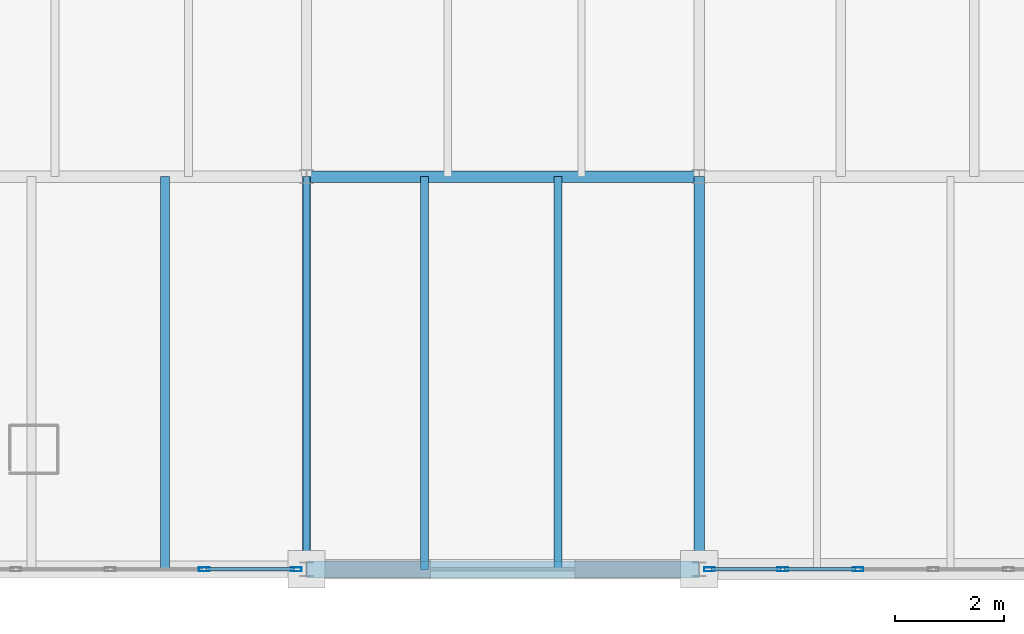
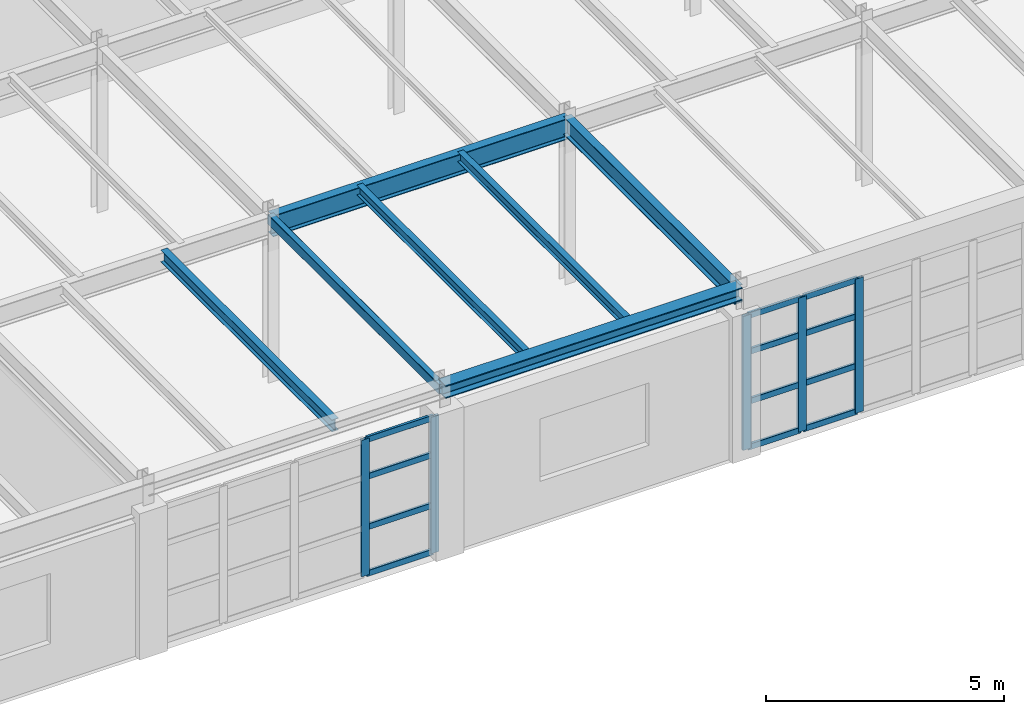
# One storey, part 49 of 137: 17 members, 7 beams, 2 elements without a shape of their own.
"""IFC4 building model written with IfcOpenShell, lengths in metres."""

from ifc_helpers import new_model, si_unit, direction, frame, origin, origin_2d, place, context, subcontext, project, spatial, hollow_rectangle, i_section, extrude, material, layer, layer_set, material_profile, profile_set, type_object, element, aggregate, save


model = new_model("IFC4")

# Units and contexts
model_context = context("Model", 3, precision=1e-05, world=origin(), true_north=direction((0.0, 1.0)))
body_context = subcontext(model_context, "Body", "Model", "MODEL_VIEW")
ifc_project = project(units=[si_unit("LENGTHUNIT", "METRE"), si_unit("AREAUNIT", "SQUARE_METRE"), si_unit("VOLUMEUNIT", "CUBIC_METRE"), si_unit("PLANEANGLEUNIT", "RADIAN"), si_unit("MASSUNIT", "GRAM", prefix="KILO")], contexts=[model_context])

# Site, building, storey
site_placement = place(None, origin())
site = spatial("IfcSite", under=ifc_project, at=site_placement, CompositionType="ELEMENT")
building_placement = place(site_placement, origin())
building = spatial("IfcBuilding", under=site, at=building_placement, Name="Kemerveld Promenade Tramway Depot", CompositionType="ELEMENT")
storey_placement = place(building_placement, frame((0.0, 0.0, 5.39990234375)))
storey = spatial("IfcBuildingStorey", under=building, at=storey_placement, Name="L01", CompositionType="ELEMENT", Elevation=5.39990234375)

# Beams
ifc_material_1 = material(Name="Steel S355", Category="steel")
ifc_material_profile_1 = material_profile(ifc_material_1, i_section(OverallWidth=0.2099609375, OverallDepth=0.53662109375, WebThickness=0.0107421875, FlangeThickness=0.017333984375, FilletRadius=0.0126953125, at=origin_2d()), Name="533x210x101 UB")
ifc_profile_set_1 = profile_set([ifc_material_profile_1], Name="Steel S355")
beam_type_1 = type_object("IfcBeamType", Name="BM-G05", PredefinedType="BEAM", material=ifc_profile_set_1)
beam_1_placement = place(storey_placement, frame((115.199951171875, 7.199951171875, 3.981689453125), z_axis=(1.0, 0.0, 0.0), x_axis=(0.0, 1.0, 0.0)))
element("IfcBeam", 1, at=beam_1_placement, inside=storey, type_object=beam_type_1, Name="BMX-L01-17-18-B", PredefinedType="BEAM", context=body_context, shape_type="SweptSolid", body=[
    extrude(i_section(OverallWidth=0.2099609375, OverallDepth=0.53662109375, WebThickness=0.0107421875, FlangeThickness=0.017333984375, FilletRadius=0.0126953125, at=origin_2d()), origin(), (0.0, 0.0, 1.0), 7.199951171875),
])
ifc_material_profile_2 = material_profile(ifc_material_1, i_section(OverallWidth=0.19140625, OverallDepth=0.4599609375, WebThickness=0.010009765625, FlangeThickness=0.01611328125, FilletRadius=0.01025390625, at=origin_2d()), Name="457x191x82 UB")
ifc_profile_set_2 = profile_set([ifc_material_profile_2], Name="Steel S355")
beam_type_2 = type_object("IfcBeamType", Name="BM-G06", PredefinedType="BEAM", material=ifc_profile_set_2)
beam_2_placement = place(storey_placement, frame((122.39990234375, 0.0, 4.02001953125), z_axis=(0.0, 1.0, 0.0), x_axis=(-1.0, 0.0, 0.0)))
element("IfcBeam", 2, at=beam_2_placement, inside=storey, type_object=beam_type_2, Name="BMY-L01-18-A-B", PredefinedType="BEAM", context=body_context, shape_type="SweptSolid", body=[
    extrude(i_section(OverallWidth=0.19140625, OverallDepth=0.4599609375, WebThickness=0.010009765625, FlangeThickness=0.01611328125, FilletRadius=0.01025390625, at=origin_2d()), origin(), (0.0, 0.0, 1.0), 7.199951171875),
])
ifc_material_profile_3 = material_profile(ifc_material_1, i_section(OverallWidth=0.311279296875, OverallDepth=0.3271484375, WebThickness=0.015869140625, FlangeThickness=0.02490234375, FilletRadius=0.01513671875, at=origin_2d()), Name="305x305x158 UC")
ifc_profile_set_3 = profile_set([ifc_material_profile_3], Name="Steel S355")
beam_type_3 = type_object("IfcBeamType", Name="BM-G13", PredefinedType="BEAM", material=ifc_profile_set_3)
beam_3_placement = place(storey_placement, frame((115.199951171875, 0.0, 4.12158203125), z_axis=(1.0, 0.0, 0.0), x_axis=(0.0, 1.0, 0.0)))
element("IfcBeam", 3, at=beam_3_placement, inside=storey, type_object=beam_type_3, Name="BMX-L01-17-18-A", PredefinedType="BEAM", context=body_context, shape_type="SweptSolid", body=[
    extrude(i_section(OverallWidth=0.311279296875, OverallDepth=0.3271484375, WebThickness=0.015869140625, FlangeThickness=0.02490234375, FilletRadius=0.01513671875, at=origin_2d()), origin(), (0.0, 0.0, 1.0), 7.199951171875),
])
ifc_material_profile_4 = material_profile(ifc_material_1, i_section(OverallWidth=0.165771484375, OverallDepth=0.306640625, WebThickness=0.006591796875, FlangeThickness=0.01171875, FilletRadius=0.0087890625, at=origin_2d()), Name="305x165x46 UB")
ifc_profile_set_4 = profile_set([ifc_material_profile_4], Name="Steel S355")
beam_type_4 = type_object("IfcBeamType", Name="BM-J01", PredefinedType="JOIST", material=ifc_profile_set_4)
beam_4_placement = place(storey_placement, frame((112.60791015625, 0.0, 4.0966796875), z_axis=(0.0, 1.0, 0.0), x_axis=(-1.0, 0.0, 0.0)))
element("IfcBeam", 4, at=beam_4_placement, inside=storey, type_object=beam_type_4, Name="JST-L01-16-A-2", PredefinedType="JOIST", context=body_context, shape_type="SweptSolid", body=[
    extrude(i_section(OverallWidth=0.165771484375, OverallDepth=0.306640625, WebThickness=0.006591796875, FlangeThickness=0.01171875, FilletRadius=0.0087890625, at=origin_2d()), origin(), (0.0, 0.0, 1.0), 7.199951171875),
])
ifc_material_profile_5 = material_profile(ifc_material_1, i_section(OverallWidth=0.146484375, OverallDepth=0.256103515625, WebThickness=0.00634765625, FlangeThickness=0.010986328125, FilletRadius=0.007568359375, at=origin_2d()), Name="254x146x37 UB")
ifc_profile_set_5 = profile_set([ifc_material_profile_5], Name="Steel S355")
beam_type_5 = type_object("IfcBeamType", Name="BM-J02", PredefinedType="JOIST", material=ifc_profile_set_5)
for number, where, z_axis, x_axis, name in (
    (5, (117.360107421875, 0.0, 4.1220703125), (0.0, 1.0, 0.0), (-1.0, 0.0, 0.0), "JST-L01-17-A-1"),
    (6, (119.80810546875, 0.0, 4.1220703125), (0.0, 1.0, 0.0), (-1.0, 0.0, 0.0), "JST-L01-17-A-2"),
):
    element("IfcBeam", number, at=place(storey_placement, frame(where, z_axis=z_axis, x_axis=x_axis)), inside=storey, type_object=beam_type_5, Name=name, PredefinedType="JOIST", context=body_context, shape_type="SweptSolid", body=[
        extrude(i_section(OverallWidth=0.146484375, OverallDepth=0.256103515625, WebThickness=0.00634765625, FlangeThickness=0.010986328125, FilletRadius=0.007568359375, at=origin_2d()), origin(), (0.0, 0.0, 1.0), 7.199951171875),
    ])
ifc_material_profile_6 = material_profile(ifc_material_1, hollow_rectangle(XDim=0.14990234375, YDim=0.25, WallThickness=0.010009765625, InnerFilletRadius=0.0048828125, OuterFilletRadius=0.014892578125, at=origin_2d()), Name="250x150x10.0 RHS")
ifc_profile_set_6 = profile_set([ifc_material_profile_6], Name="Steel S355")
beam_type_6 = type_object("IfcBeamType", Name="BM-SP2", PredefinedType="SPANDREL", material=ifc_profile_set_6)
beam_5_placement = place(storey_placement, frame((115.199951171875, 0.0, 4.125), z_axis=(0.0, 1.0, 0.0), x_axis=(-1.0, 0.0, 0.0)))
element("IfcBeam", 7, at=beam_5_placement, inside=storey, type_object=beam_type_6, Name="BMY-L01-17-A-B", PredefinedType="SPANDREL", context=body_context, shape_type="SweptSolid", body=[
    extrude(hollow_rectangle(XDim=0.14990234375, YDim=0.25, WallThickness=0.010009765625, InnerFilletRadius=0.0048828125, OuterFilletRadius=0.014892578125, at=origin_2d()), origin(), (0.0, 0.0, 1.0), 7.199951171875),
])

# Curtain wall, members
ifc_material_2 = material(Name="Bronze anodised aluminium and solar glass", Category="aluminium")
ifc_layer_1 = layer(ifc_material_2, 0.199951171875)
ifc_layer_set_1 = layer_set([ifc_layer_1], Name="CW-SYS-08")
curtain_wall_type_1 = type_object("IfcCurtainWallType", Name="CW-SYS-08", PredefinedType="USERDEFINED", material=ifc_layer_set_1)
curtain_wall_1_placement = place(storey_placement, origin())
curtain_wall_1 = element("IfcCurtainWall", 8, at=curtain_wall_1_placement, inside=storey, type_object=curtain_wall_type_1, Name="CW-L01-V4S-05", ObjectType="GLAZED_CURTAIN_WALL", PredefinedType="USERDEFINED")
ifc_material_3 = material(Name="Bronze anodised aluminium", Category="aluminium")
ifc_material_profile_7 = material_profile(ifc_material_3, hollow_rectangle(XDim=0.074951171875, YDim=0.199951171875, WallThickness=0.0048828125, InnerFilletRadius=0.001953125, OuterFilletRadius=0.0048828125, at=origin_2d()), Name="CW-MUL-200x75")
ifc_profile_set_7 = profile_set([ifc_material_profile_7], Name="Bronze anodised aluminium")
member_type_1 = type_object("IfcMemberType", Name="CW-MUL-B", PredefinedType="MULLION", material=ifc_profile_set_7)
member_1_placement = place(storey_placement, frame((125.31005859375, 0.0, 0.0), z_axis=(0.0, 0.0, 1.0), x_axis=(0.0, -1.0, 0.0)))
member_1 = element("IfcMember", 9, at=member_1_placement, type_object=member_type_1, Name="CW08 mullion 4", PredefinedType="MULLION", context=body_context, shape_type="SweptSolid", body=[
    extrude(hollow_rectangle(XDim=0.074951171875, YDim=0.199951171875, WallThickness=0.0048828125, InnerFilletRadius=0.001953125, OuterFilletRadius=0.0048828125, at=origin_2d()), origin(), (0.0, 0.0, 1.0), 3.440185546875),
])
member_2_placement = place(storey_placement, frame((123.93017578125, 0.0, 0.0), z_axis=(0.0, 0.0, 1.0), x_axis=(0.0, -1.0, 0.0)))
member_2 = element("IfcMember", 10, at=member_2_placement, type_object=member_type_1, Name="CW08 mullion 5", PredefinedType="MULLION", context=body_context, shape_type="SweptSolid", body=[
    extrude(hollow_rectangle(XDim=0.074951171875, YDim=0.199951171875, WallThickness=0.0048828125, InnerFilletRadius=0.001953125, OuterFilletRadius=0.0048828125, at=origin_2d()), origin(), (0.0, 0.0, 1.0), 3.440185546875),
])
member_3_placement = place(storey_placement, frame((122.587646484375, 0.0, 0.0), z_axis=(0.0, 0.0, 1.0), x_axis=(0.0, -1.0, 0.0)))
member_3 = element("IfcMember", 11, at=member_3_placement, type_object=member_type_1, Name="CW08 mullion 6", PredefinedType="MULLION", context=body_context, shape_type="SweptSolid", body=[
    extrude(hollow_rectangle(XDim=0.074951171875, YDim=0.199951171875, WallThickness=0.0048828125, InnerFilletRadius=0.001953125, OuterFilletRadius=0.0048828125, at=origin_2d()), origin(), (0.0, 0.0, 1.0), 3.440185546875),
])

ifc_layer_2 = layer(ifc_material_2, 0.199951171875)
ifc_layer_set_2 = layer_set([ifc_layer_2], Name="CW-SYS-10")
curtain_wall_type_2 = type_object("IfcCurtainWallType", Name="CW-SYS-10", PredefinedType="USERDEFINED", material=ifc_layer_set_2)
curtain_wall_2_placement = place(storey_placement, origin())
curtain_wall_2 = element("IfcCurtainWall", 12, at=curtain_wall_2_placement, inside=storey, type_object=curtain_wall_type_2, Name="CW-L01-V4S-07", ObjectType="GLAZED_CURTAIN_WALL", PredefinedType="USERDEFINED")
member_4_placement = place(storey_placement, frame((115.012451171875, 0.0, 0.0), z_axis=(0.0, 0.0, 1.0), x_axis=(0.0, -1.0, 0.0)))
member_4 = element("IfcMember", 13, at=member_4_placement, type_object=member_type_1, Name="CW10 mullion 1", PredefinedType="MULLION", context=body_context, shape_type="SweptSolid", body=[
    extrude(hollow_rectangle(XDim=0.074951171875, YDim=0.199951171875, WallThickness=0.0048828125, InnerFilletRadius=0.001953125, OuterFilletRadius=0.0048828125, at=origin_2d()), origin(), (0.0, 0.0, 1.0), 3.5029296875),
])
member_5_placement = place(storey_placement, frame((113.324951171875, 0.0, 0.0), z_axis=(0.0, 0.0, 1.0), x_axis=(0.0, -1.0, 0.0)))
member_5 = element("IfcMember", 14, at=member_5_placement, type_object=member_type_1, Name="CW10 mullion 2", PredefinedType="MULLION", context=body_context, shape_type="SweptSolid", body=[
    extrude(hollow_rectangle(XDim=0.074951171875, YDim=0.199951171875, WallThickness=0.0048828125, InnerFilletRadius=0.001953125, OuterFilletRadius=0.0048828125, at=origin_2d()), origin(), (0.0, 0.0, 1.0), 3.5029296875),
])

# Member
ifc_material_profile_8 = material_profile(ifc_material_3, hollow_rectangle(XDim=0.06494140625, YDim=0.14990234375, WallThickness=0.00439453125, InnerFilletRadius=0.001953125, OuterFilletRadius=0.00439453125, at=origin_2d()), Name="CW-TRN-150x65")
ifc_profile_set_8 = profile_set([ifc_material_profile_8], Name="Bronze anodised aluminium")
member_type_2 = type_object("IfcMemberType", Name="CW-TRN-B", PredefinedType="USERDEFINED", material=ifc_profile_set_8)
member_6_placement = place(storey_placement, frame((125.2724609375, 0.0, 0.03271484375), z_axis=(-1.0, 0.0, 0.0), x_axis=(0.0, -1.0, 0.0)))
member_6 = element("IfcMember", 15, at=member_6_placement, type_object=member_type_2, Name="CW08 transom 4.1", ObjectType="TRANSOM", PredefinedType="USERDEFINED", context=body_context, shape_type="SweptSolid", body=[
    extrude(hollow_rectangle(XDim=0.06494140625, YDim=0.14990234375, WallThickness=0.00439453125, InnerFilletRadius=0.001953125, OuterFilletRadius=0.00439453125, at=origin_2d()), origin(), (0.0, 0.0, 1.0), 1.304931640625),
])

member_7_placement = place(storey_placement, frame((125.2724609375, 0.0, 1.2041015625), z_axis=(-1.0, 0.0, 0.0), x_axis=(0.0, -1.0, 0.0)))
member_7 = element("IfcMember", 16, at=member_7_placement, type_object=member_type_2, Name="CW08 transom 4.2", ObjectType="TRANSOM", PredefinedType="USERDEFINED", context=body_context, shape_type="SweptSolid", body=[
    extrude(hollow_rectangle(XDim=0.06494140625, YDim=0.14990234375, WallThickness=0.00439453125, InnerFilletRadius=0.001953125, OuterFilletRadius=0.00439453125, at=origin_2d()), origin(), (0.0, 0.0, 1.0), 1.304931640625),
])

member_8_placement = place(storey_placement, frame((125.2724609375, 0.0, 2.47705078125), z_axis=(-1.0, 0.0, 0.0), x_axis=(0.0, -1.0, 0.0)))
member_8 = element("IfcMember", 17, at=member_8_placement, type_object=member_type_2, Name="CW08 transom 4.3", ObjectType="TRANSOM", PredefinedType="USERDEFINED", context=body_context, shape_type="SweptSolid", body=[
    extrude(hollow_rectangle(XDim=0.06494140625, YDim=0.14990234375, WallThickness=0.00439453125, InnerFilletRadius=0.001953125, OuterFilletRadius=0.00439453125, at=origin_2d()), origin(), (0.0, 0.0, 1.0), 1.304931640625),
])

member_9_placement = place(storey_placement, frame((125.2724609375, 0.0, 3.40771484375), z_axis=(-1.0, 0.0, 0.0), x_axis=(0.0, -1.0, 0.0)))
member_9 = element("IfcMember", 18, at=member_9_placement, type_object=member_type_2, Name="CW08 transom 4.4", ObjectType="TRANSOM", PredefinedType="USERDEFINED", context=body_context, shape_type="SweptSolid", body=[
    extrude(hollow_rectangle(XDim=0.06494140625, YDim=0.14990234375, WallThickness=0.00439453125, InnerFilletRadius=0.001953125, OuterFilletRadius=0.00439453125, at=origin_2d()), origin(), (0.0, 0.0, 1.0), 1.304931640625),
])

member_10_placement = place(storey_placement, frame((123.892578125, 0.0, 0.03271484375), z_axis=(-1.0, 0.0, 0.0), x_axis=(0.0, -1.0, 0.0)))
member_10 = element("IfcMember", 19, at=member_10_placement, type_object=member_type_2, Name="CW08 transom 5.1", ObjectType="TRANSOM", PredefinedType="USERDEFINED", context=body_context, shape_type="SweptSolid", body=[
    extrude(hollow_rectangle(XDim=0.06494140625, YDim=0.14990234375, WallThickness=0.00439453125, InnerFilletRadius=0.001953125, OuterFilletRadius=0.00439453125, at=origin_2d()), origin(), (0.0, 0.0, 1.0), 1.267333984375),
])

member_11_placement = place(storey_placement, frame((123.892578125, 0.0, 1.2041015625), z_axis=(-1.0, 0.0, 0.0), x_axis=(0.0, -1.0, 0.0)))
member_11 = element("IfcMember", 20, at=member_11_placement, type_object=member_type_2, Name="CW08 transom 5.2", ObjectType="TRANSOM", PredefinedType="USERDEFINED", context=body_context, shape_type="SweptSolid", body=[
    extrude(hollow_rectangle(XDim=0.06494140625, YDim=0.14990234375, WallThickness=0.00439453125, InnerFilletRadius=0.001953125, OuterFilletRadius=0.00439453125, at=origin_2d()), origin(), (0.0, 0.0, 1.0), 1.267333984375),
])

member_12_placement = place(storey_placement, frame((123.892578125, 0.0, 2.47705078125), z_axis=(-1.0, 0.0, 0.0), x_axis=(0.0, -1.0, 0.0)))
member_12 = element("IfcMember", 21, at=member_12_placement, type_object=member_type_2, Name="CW08 transom 5.3", ObjectType="TRANSOM", PredefinedType="USERDEFINED", context=body_context, shape_type="SweptSolid", body=[
    extrude(hollow_rectangle(XDim=0.06494140625, YDim=0.14990234375, WallThickness=0.00439453125, InnerFilletRadius=0.001953125, OuterFilletRadius=0.00439453125, at=origin_2d()), origin(), (0.0, 0.0, 1.0), 1.267333984375),
])

member_13_placement = place(storey_placement, frame((123.892578125, 0.0, 3.40771484375), z_axis=(-1.0, 0.0, 0.0), x_axis=(0.0, -1.0, 0.0)))
member_13 = element("IfcMember", 22, at=member_13_placement, type_object=member_type_2, Name="CW08 transom 5.4", ObjectType="TRANSOM", PredefinedType="USERDEFINED", context=body_context, shape_type="SweptSolid", body=[
    extrude(hollow_rectangle(XDim=0.06494140625, YDim=0.14990234375, WallThickness=0.00439453125, InnerFilletRadius=0.001953125, OuterFilletRadius=0.00439453125, at=origin_2d()), origin(), (0.0, 0.0, 1.0), 1.267333984375),
])

aggregate(curtain_wall_1, [member_1, member_2, member_3, member_6, member_7, member_8, member_9, member_10, member_11, member_12, member_13])

member_14_placement = place(storey_placement, frame((114.974853515625, 0.0, 0.03271484375), z_axis=(-1.0, 0.0, 0.0), x_axis=(0.0, -1.0, 0.0)))
member_14 = element("IfcMember", 23, at=member_14_placement, type_object=member_type_2, Name="CW10 transom 1.1", ObjectType="TRANSOM", PredefinedType="USERDEFINED", context=body_context, shape_type="SweptSolid", body=[
    extrude(hollow_rectangle(XDim=0.06494140625, YDim=0.14990234375, WallThickness=0.00439453125, InnerFilletRadius=0.001953125, OuterFilletRadius=0.00439453125, at=origin_2d()), origin(), (0.0, 0.0, 1.0), 1.6123046875),
])

member_15_placement = place(storey_placement, frame((114.974853515625, 0.0, 1.22607421875), z_axis=(-1.0, 0.0, 0.0), x_axis=(0.0, -1.0, 0.0)))
member_15 = element("IfcMember", 24, at=member_15_placement, type_object=member_type_2, Name="CW10 transom 1.2", ObjectType="TRANSOM", PredefinedType="USERDEFINED", context=body_context, shape_type="SweptSolid", body=[
    extrude(hollow_rectangle(XDim=0.06494140625, YDim=0.14990234375, WallThickness=0.00439453125, InnerFilletRadius=0.001953125, OuterFilletRadius=0.00439453125, at=origin_2d()), origin(), (0.0, 0.0, 1.0), 1.6123046875),
])

member_16_placement = place(storey_placement, frame((114.974853515625, 0.0, 2.522216796875), z_axis=(-1.0, 0.0, 0.0), x_axis=(0.0, -1.0, 0.0)))
member_16 = element("IfcMember", 25, at=member_16_placement, type_object=member_type_2, Name="CW10 transom 1.3", ObjectType="TRANSOM", PredefinedType="USERDEFINED", context=body_context, shape_type="SweptSolid", body=[
    extrude(hollow_rectangle(XDim=0.06494140625, YDim=0.14990234375, WallThickness=0.00439453125, InnerFilletRadius=0.001953125, OuterFilletRadius=0.00439453125, at=origin_2d()), origin(), (0.0, 0.0, 1.0), 1.6123046875),
])

member_17_placement = place(storey_placement, frame((114.974853515625, 0.0, 3.470458984375), z_axis=(-1.0, 0.0, 0.0), x_axis=(0.0, -1.0, 0.0)))
member_17 = element("IfcMember", 26, at=member_17_placement, type_object=member_type_2, Name="CW10 transom 1.4", ObjectType="TRANSOM", PredefinedType="USERDEFINED", context=body_context, shape_type="SweptSolid", body=[
    extrude(hollow_rectangle(XDim=0.06494140625, YDim=0.14990234375, WallThickness=0.00439453125, InnerFilletRadius=0.001953125, OuterFilletRadius=0.00439453125, at=origin_2d()), origin(), (0.0, 0.0, 1.0), 1.6123046875),
])

aggregate(curtain_wall_2, [member_4, member_5, member_14, member_15, member_16, member_17])

save(model, "model.ifc")
